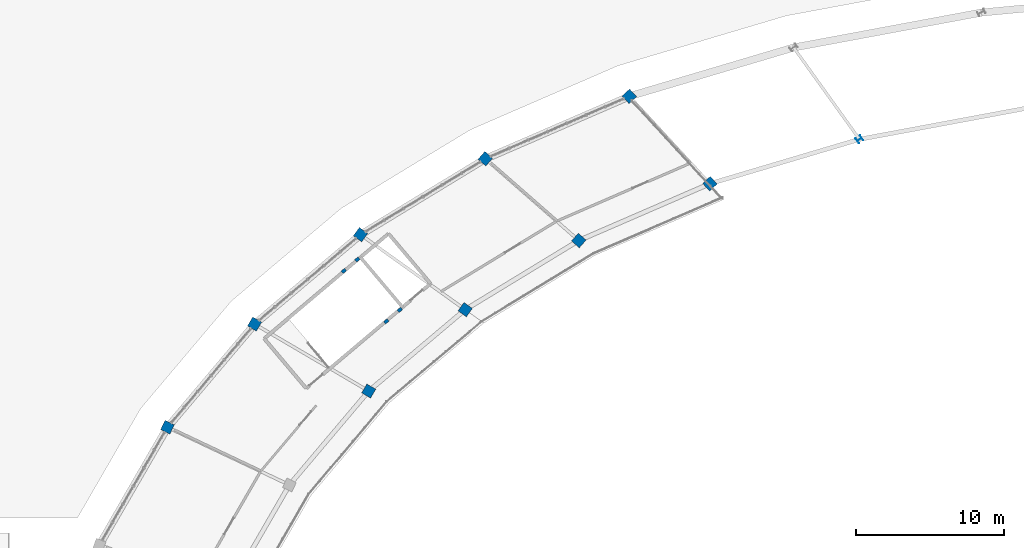
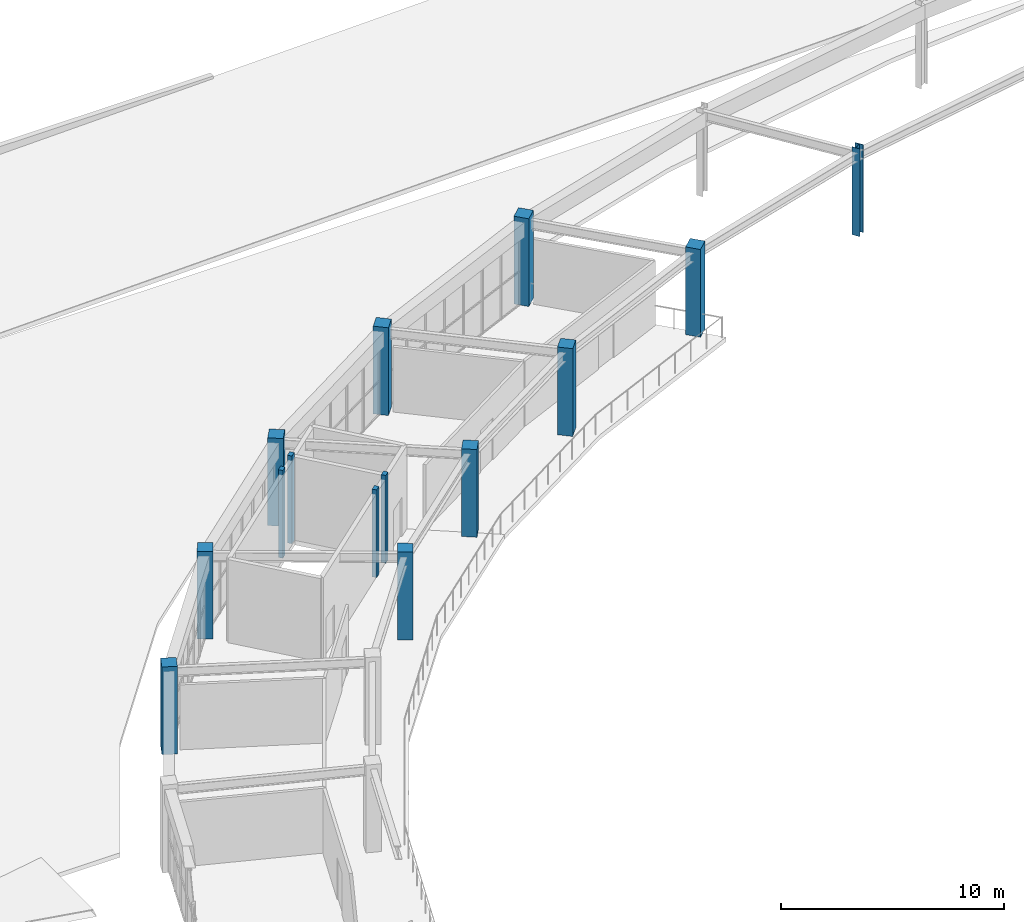
# One storey, part 8 of 45: 14 columns.
"""IFC4 building model written with IfcOpenShell, lengths in metres."""

from ifc_helpers import new_model, si_unit, direction, frame, origin, origin_2d, place, context, subcontext, project, spatial, rectangle, i_section, extrude, material, material_profile, profile_set, type_object, element, save


model = new_model("IFC4")

# Units and contexts
model_context = context("Model", 3, precision=1e-05, world=origin(), true_north=direction((0.0, 1.0)))
body_context = subcontext(model_context, "Body", "Model", "MODEL_VIEW")
ifc_project = project(units=[si_unit("LENGTHUNIT", "METRE"), si_unit("AREAUNIT", "SQUARE_METRE"), si_unit("VOLUMEUNIT", "CUBIC_METRE"), si_unit("PLANEANGLEUNIT", "RADIAN"), si_unit("MASSUNIT", "GRAM", prefix="KILO")], contexts=[model_context])

# Site, building, storey
site_placement = place(None, origin())
site = spatial("IfcSite", under=ifc_project, at=site_placement, CompositionType="ELEMENT")
building_placement = place(site_placement, origin())
building = spatial("IfcBuilding", under=site, at=building_placement, Name="Mphavela Belvedere Stadium", CompositionType="ELEMENT")
storey_placement = place(building_placement, frame((0.0, 0.0, 24.0)))
storey = spatial("IfcBuildingStorey", under=building, at=storey_placement, Name="L05", CompositionType="ELEMENT", Elevation=24.0)

# Columns
ifc_material_1 = material(Name="Concrete C40/50", Category="concrete")
ifc_material_profile_1 = material_profile(ifc_material_1, rectangle(XDim=0.300048828125, YDim=0.219970703125, at=origin_2d()), Name="RC 300x220")
ifc_profile_set_1 = profile_set([ifc_material_profile_1], Name="Concrete C40/50")
column_type_1 = type_object("IfcColumnType", Name="COL-CORE-POST-300", PredefinedType="COLUMN", material=ifc_profile_set_1)
for number, where, z_axis, x_axis, name in (
    (1, (37.5927734375, 137.838623046875, 0.0), (0.0, 0.0, 1.0), (0.764246456939, 0.644924300253, 0.0), "Core C05 stair frame column L05-1"),
    (2, (38.510009765625, 138.612548828125, 0.0), (0.0, 0.0, 1.0), (0.764246456939, 0.644924300253, 0.0), "Core C05 stair frame column L05-2"),
    (3, (35.627197265625, 142.02880859375, 0.0), (0.0, 0.0, 1.0), (0.764246456939, 0.644924300253, 0.0), "Core C05 stair frame column L05-3"),
    (4, (34.7099609375, 141.2548828125, 0.0), (0.0, 0.0, 1.0), (0.764246456939, 0.644924300253, 0.0), "Core C05 stair frame column L05-4"),
):
    element("IfcColumn", number, at=place(storey_placement, frame(where, z_axis=z_axis, x_axis=x_axis)), inside=storey, type_object=column_type_1, Name=name, PredefinedType="COLUMN", context=body_context, shape_type="SweptSolid", body=[
        extrude(rectangle(XDim=0.300048828125, YDim=0.219970703125, at=origin_2d()), origin(), (0.0, 0.0, 1.0), 4.800048828125),
    ])
ifc_material_2 = material(Name="Concrete C40/50", Category="concrete")
ifc_material_profile_2 = material_profile(ifc_material_2, rectangle(XDim=0.699951171875, YDim=0.699951171875, at=origin_2d()), Name="RC 700x700")
ifc_profile_set_2 = profile_set([ifc_material_profile_2], Name="Concrete C40/50")
column_type_2 = type_object("IfcColumnType", Name="COL-RC700", PredefinedType="COLUMN", material=ifc_profile_set_2)
for number, where, z_axis, x_axis, name in (
    (5, (59.523681640625, 147.16796875, 0.0), (0.0, 0.0, 1.0), (-0.677903094969, 0.735151272753, 0.0), "Main bowl column L05 R3-17"),
    (6, (54.0625, 153.09130859375, 0.0), (0.0, 0.0, 1.0), (-0.677903094969, 0.735151272753, 0.0), "Outer colonnade column L05 R4-17"),
    (7, (50.639892578125, 143.31689453125, 0.0), (0.0, 0.0, 1.0), (-0.752529860433, 0.658558128912, 0.0), "Main bowl column L05 R3-18"),
    (8, (44.3037109375, 148.86083984375, 0.0), (0.0, 0.0, 1.0), (-0.752529860433, 0.658558128912, 0.0), "Outer colonnade column L05 R4-18"),
    (9, (42.938720703125, 138.631591796875, 0.0), (0.0, 0.0, 1.0), (-0.812897512265, 0.582406760395, 0.0), "Main bowl column L05 R3-19"),
    (10, (35.844482421875, 143.714599609375, 0.0), (0.0, 0.0, 1.0), (-0.812897512265, 0.582406760395, 0.0), "Outer colonnade column L05 R4-19"),
    (11, (36.399658203125, 133.11376953125, 0.0), (0.0, 0.0, 1.0), (-0.862513669207, 0.506033764121, 0.0), "Main bowl column L05 R3-20"),
    (12, (28.66162109375, 137.653564453125, 0.0), (0.0, 0.0, 1.0), (-0.862513669207, 0.506033764121, 0.0), "Outer colonnade column L05 R4-20"),
    (13, (22.757568359375, 130.66162109375, 0.0), (0.0, 0.0, 1.0), (-0.903858661687, 0.4278311813, 0.0), "Outer colonnade column L05 R4-21"),
):
    element("IfcColumn", number, at=place(storey_placement, frame(where, z_axis=z_axis, x_axis=x_axis)), inside=storey, type_object=column_type_2, Name=name, PredefinedType="COLUMN", context=body_context, shape_type="SweptSolid", body=[
        extrude(rectangle(XDim=0.699951171875, YDim=0.699951171875, at=origin_2d()), origin(), (0.0, 0.0, 1.0), 4.800048828125),
    ])
ifc_material_3 = material(Name="Steel S355", Category="steel")
ifc_material_profile_3 = material_profile(ifc_material_3, i_section(OverallWidth=0.39501953125, OverallDepth=0.3798828125, WebThickness=0.0166015625, FlangeThickness=0.02587890625, at=origin_2d()), Name="HD 400x237")
ifc_profile_set_3 = profile_set([ifc_material_profile_3], Name="Steel S355")
column_type_3 = type_object("IfcColumnType", Name="COL-STEEL-HD400", PredefinedType="COLUMN", material=ifc_profile_set_3)
column_placement = place(storey_placement, frame((69.662109375, 150.177490234375, 0.0), z_axis=(0.0, 0.0, 1.0), x_axis=(-0.582974127943, 0.812490717577, 0.0)))
element("IfcColumn", 14, at=column_placement, inside=storey, type_object=column_type_3, Name="Main bowl column L05 R3-16", PredefinedType="COLUMN", context=body_context, shape_type="SweptSolid", body=[
    extrude(i_section(OverallWidth=0.39501953125, OverallDepth=0.3798828125, WebThickness=0.0166015625, FlangeThickness=0.02587890625, at=origin_2d()), origin(), (0.0, 0.0, 1.0), 4.800048828125),
])

save(model, "model.ifc")
